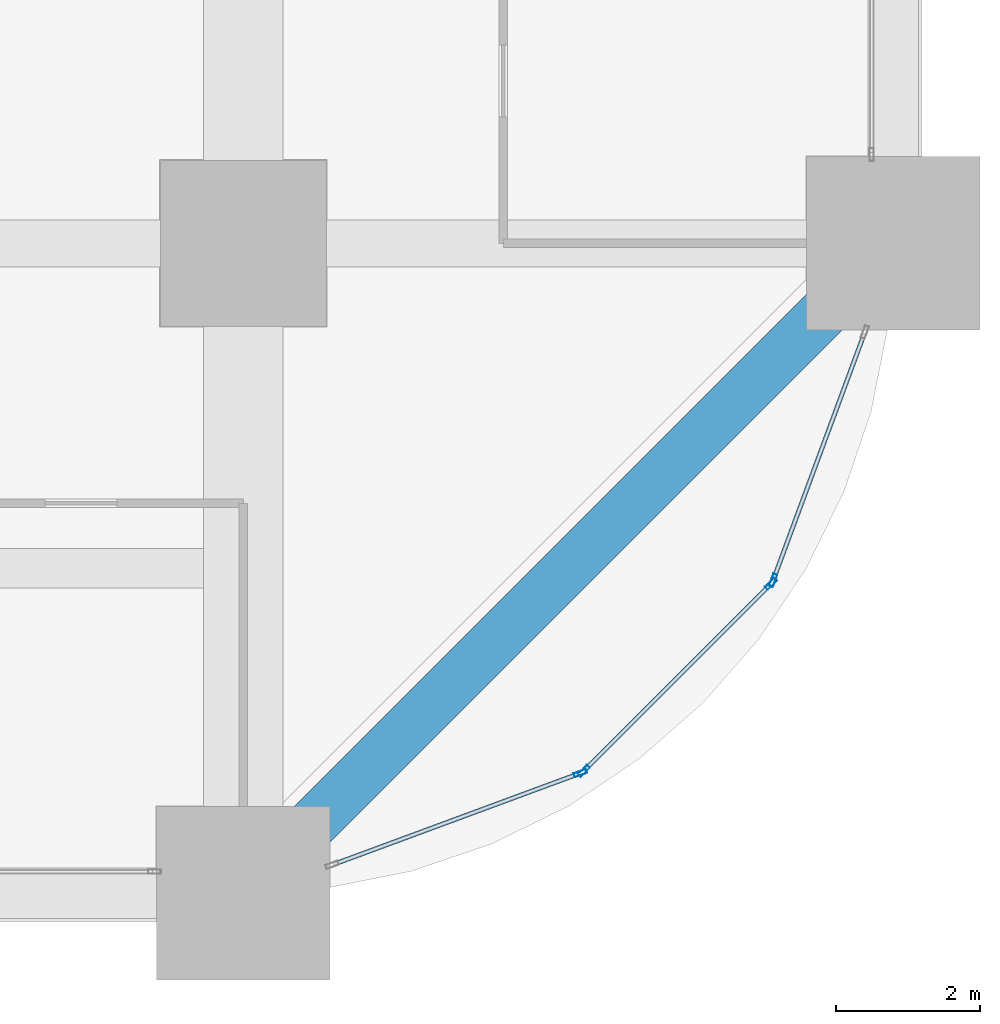
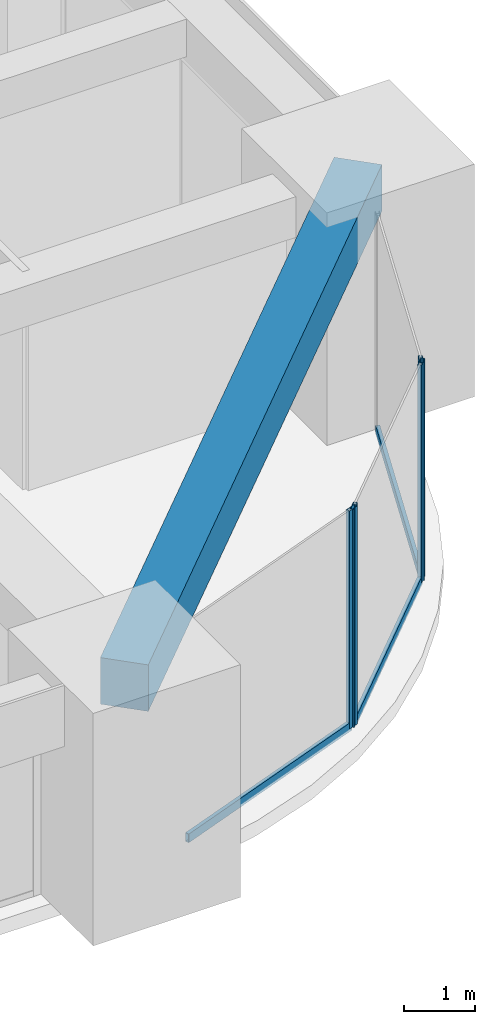
# One storey, part 16 of 45: 7 members, 1 beam, 3 elements without a shape of their own.
"""IFC4 building model written with IfcOpenShell, lengths in metres."""

import ifcopenshell
import ifcopenshell.guid

model = None  # the IFC model being written
_history = None  # IfcOwnerHistory: only IFC2X3 demands one
_inside = {}  # id of a spatial element -> (the spatial element, [elements in it])
_under = {}  # id of a project, library or spatial element -> (it, [spatial elements below it])
_declared = {}  # id of a project -> (the project, [libraries it declares])
_typed = {}  # id of a type object -> (the type object, [elements of that type])
_made_of = {}  # id of a material, layer set ... -> (it, [elements and type objects made of it])


def new_model(schema):
    """Start an empty IFC model of exactly this schema.

    Asked for "IFC4X3", IfcOpenShell would pick the latest addendum, in which some entities
    have other attributes; the version numbers below select the first issue.
    IFC2X3 requires an IfcOwnerHistory on every rooted entity: one is made here for all.
    """
    global model, _history
    if schema == "IFC4X3":
        model = ifcopenshell.file(schema_version=(4, 3, 0, 0))
    else:
        model = ifcopenshell.file(schema=schema)
    _inside.clear()
    _under.clear()
    _declared.clear()
    _typed.clear()
    _made_of.clear()
    _history = None
    if model.schema == "IFC2X3":
        org = make("IfcOrganization", Name="unknown")
        user = make(
            "IfcPersonAndOrganization",
            ThePerson=make("IfcPerson", FamilyName="unknown"),
            TheOrganization=org,
        )
        app = make(
            "IfcApplication",
            ApplicationDeveloper=org,
            Version="unknown",
            ApplicationFullName="unknown",
            ApplicationIdentifier="unknown",
        )
        _history = make(
            "IfcOwnerHistory",
            OwningUser=user,
            OwningApplication=app,
            ChangeAction="ADDED",
            CreationDate=0,
        )
    return model


def make(cls, **values):
    """One entity of the class cls with the attributes given. An attribute that is None is left unset."""
    return model.create_entity(
        cls, **{name: value for name, value in values.items() if value is not None}
    )


def rooted(cls, **values):
    """An entity with a GlobalId (a new one), such as an element, a storey or a relation."""
    return make(cls, GlobalId=ifcopenshell.guid.new(), OwnerHistory=_history, **values)


def si_unit(unit_type, name, prefix=None):
    """IfcSIUnit, for example si_unit("LENGTHUNIT", "METRE", prefix="MILLI")."""
    return make("IfcSIUnit", UnitType=unit_type, Prefix=prefix, Name=name)


def assignment(units):
    """IfcUnitAssignment: the units of a project."""
    return None if units is None else make("IfcUnitAssignment", Units=units)


def point(xyz):
    """IfcCartesianPoint."""
    return None if xyz is None else make("IfcCartesianPoint", Coordinates=xyz)


def direction(xyz):
    """IfcDirection."""
    return None if xyz is None else make("IfcDirection", DirectionRatios=xyz)


def frame(location, z_axis=None, x_axis=None):
    """IfcAxis2Placement3D, a coordinate frame: its origin and axes. An axis left out is left unset."""
    return make(
        "IfcAxis2Placement3D",
        Location=point(location),
        Axis=direction(z_axis),
        RefDirection=direction(x_axis),
    )


def frame_2d(location, x_axis=None):
    """IfcAxis2Placement2D, a coordinate frame in the plane: its origin and x axis."""
    return make(
        "IfcAxis2Placement2D", Location=point(location), RefDirection=direction(x_axis)
    )


def origin():
    """The frame at (0, 0, 0) with its axes left unset."""
    return frame((0.0, 0.0, 0.0))


def origin_2d():
    """The frame at (0, 0) in the plane with its x axis left unset."""
    return frame_2d((0.0, 0.0))


def place(relative_to, where):
    """IfcLocalPlacement: puts the frame where relative to a parent placement (None: the world)."""
    return make(
        "IfcLocalPlacement", PlacementRelTo=relative_to, RelativePlacement=where
    )


def context(
    kind, dimensions, precision=None, world=None, true_north=None, identifier=None
):
    """IfcGeometricRepresentationContext, for example the 3D "Model" context."""
    return make(
        "IfcGeometricRepresentationContext",
        ContextIdentifier=identifier,
        ContextType=kind,
        CoordinateSpaceDimension=dimensions,
        Precision=precision,
        WorldCoordinateSystem=world,
        TrueNorth=true_north,
    )


def subcontext(parent, identifier, kind, view, scale=None):
    """IfcGeometricRepresentationSubContext, for example "Body" below "Model"."""
    return make(
        "IfcGeometricRepresentationSubContext",
        ContextIdentifier=identifier,
        ContextType=kind,
        ParentContext=parent,
        TargetScale=scale,
        TargetView=view,
    )


def project(units=None, contexts=None):
    """IfcProject with its units and contexts."""
    return rooted(
        "IfcProject",
        Name="project",
        RepresentationContexts=contexts,
        UnitsInContext=assignment(units),
    )


def spatial(cls, under=None, at=None, **own):
    """A site, building, storey or space (cls), placed at a placement, below another one or the project."""
    s = rooted(cls, ObjectPlacement=at, **own)
    if under is not None:
        _under.setdefault(under.id(), (under, []))[1].append(s)
    return s


def profile(cls, at=None, kind="AREA", **sizes):
    """A parametric profile (cls). Its sizes go by their IFC names, for example OverallWidth=200.0."""
    return make(cls, ProfileType=kind, Position=at, **sizes)


def rectangle(**sizes):
    """IfcRectangleProfileDef."""
    return profile("IfcRectangleProfileDef", **sizes)


def hollow_rectangle(**sizes):
    """IfcRectangleHollowProfileDef."""
    return profile("IfcRectangleHollowProfileDef", **sizes)


def extrude(swept, where, along, depth):
    """IfcExtrudedAreaSolid: the profile swept, set in the frame where, extruded along a direction by depth."""
    return make(
        "IfcExtrudedAreaSolid",
        SweptArea=swept,
        Position=where,
        ExtrudedDirection=direction(along),
        Depth=depth,
    )


def shape(context_of_items, identifier, shape_type, items):
    """IfcShapeRepresentation: the items that make up one representation, for example the "Body"."""
    return make(
        "IfcShapeRepresentation",
        ContextOfItems=context_of_items,
        RepresentationIdentifier=identifier,
        RepresentationType=shape_type,
        Items=items,
    )


def material(Name=None, Category=None):
    """IfcMaterial."""
    return make("IfcMaterial", Name=Name, Category=Category)


def material_profile(
    of_material, cross_section, Name=None, Category=None, Priority=None
):
    """IfcMaterialProfile: a cross section and its material."""
    return make(
        "IfcMaterialProfile",
        Name=Name,
        Material=of_material,
        Profile=cross_section,
        Priority=Priority,
        Category=Category,
    )


def profile_set(profiles, Name=None, composite=None):
    """IfcMaterialProfileSet."""
    return make(
        "IfcMaterialProfileSet",
        Name=Name,
        MaterialProfiles=profiles,
        CompositeProfile=composite,
    )


def made_of(thing, what):
    """Note that an element or type object is made of a material, layer set ...; save() writes the relation."""
    if what is not None:
        _made_of.setdefault(what.id(), (what, []))[1].append(thing)
    return thing


def type_object(cls, material=None, **own):
    """A type object (cls), such as IfcWallType, which elements share."""
    return made_of(rooted(cls, **own), material)


def element(
    cls,
    number,
    at=None,
    inside=None,
    cuts=None,
    type_object=None,
    material=None,
    context=None,
    identifier="Body",
    shape_type=None,
    held_by="IfcProductDefinitionShape",
    body=None,
    shapes=None,
    **own,
):
    """One element of the class cls, such as IfcWall. Its Tag is "e" and its number.

    at: its placement. inside: the storey or other place that contains it. cuts: it is an
    opening in that element (IfcRelVoidsElement). A single representation is given by context,
    identifier, shape_type and body (its items); several are given by shapes. held_by: the class
    of the entity that holds the representations. save() writes the other relations.
    """
    e = rooted(cls, Tag="e%d" % number, ObjectPlacement=at, **own)
    if body is not None:
        shapes = [shape(context, identifier, shape_type, body)]
    if shapes is not None:
        e.Representation = make(held_by, Representations=shapes)
    if inside is not None:
        _inside.setdefault(inside.id(), (inside, []))[1].append(e)
    if cuts is not None:
        rooted(
            "IfcRelVoidsElement", RelatingBuildingElement=cuts, RelatedOpeningElement=e
        )
    if type_object is not None:
        _typed.setdefault(type_object.id(), (type_object, []))[1].append(e)
    return made_of(e, material)


def aggregate(whole, parts):
    """IfcRelAggregates: a whole, such as a stair, and the parts it consists of."""
    return rooted("IfcRelAggregates", RelatingObject=whole, RelatedObjects=parts)


def save(model, path):
    """Write the relations noted so far, then the file.

    IfcRelAggregates (storeys below a building ...), IfcRelContainedInSpatialStructure (elements
    in a storey), IfcRelDefinesByType, IfcRelAssociatesMaterial and IfcRelDeclares: one each for
    every whole, place, type object, material and project.
    """
    for whole, parts in _under.values():
        aggregate(whole, parts)
    for where, things in _inside.values():
        rooted(
            "IfcRelContainedInSpatialStructure",
            RelatedElements=things,
            RelatingStructure=where,
        )
    for kind, things in _typed.values():
        rooted("IfcRelDefinesByType", RelatedObjects=things, RelatingType=kind)
    for what, things in _made_of.values():
        rooted("IfcRelAssociatesMaterial", RelatedObjects=things, RelatingMaterial=what)
    for by, libraries in _declared.values():
        rooted("IfcRelDeclares", RelatingContext=by, RelatedDefinitions=libraries)
    model.write(path)


model = new_model("IFC4")

# Units and contexts
model_context = context("Model", 3, precision=1e-05, world=origin(), true_north=direction((0.0, 1.0)))
body_context = subcontext(model_context, "Body", "Model", "MODEL_VIEW")
ifc_project = project(units=[si_unit("LENGTHUNIT", "METRE"), si_unit("AREAUNIT", "SQUARE_METRE"), si_unit("VOLUMEUNIT", "CUBIC_METRE"), si_unit("PLANEANGLEUNIT", "RADIAN"), si_unit("MASSUNIT", "GRAM", prefix="KILO")], contexts=[model_context])

# Site, building, storey
site_placement = place(None, origin())
site = spatial("IfcSite", under=ifc_project, at=site_placement, CompositionType="ELEMENT")
building_placement = place(site_placement, origin())
building = spatial("IfcBuilding", under=site, at=building_placement, Name="Zorevar Civic Tower", CompositionType="ELEMENT")
storey_placement = place(building_placement, frame((0.0, 0.0, 27.800048828125)))
storey = spatial("IfcBuildingStorey", under=building, at=storey_placement, Name="L06", CompositionType="ELEMENT", Elevation=27.800048828125)

# Curtain wall, member
ifc_material_1 = material(Name="Dark grey solar-control glass in black aluminium frame", Category="aluminium")
curtain_wall_type = type_object("IfcCurtainWallType", Name="Curtain wall CW2 low zone", PredefinedType="NOTDEFINED", material=ifc_material_1)
curtain_wall_1_placement = place(storey_placement, origin())
curtain_wall_1 = element("IfcCurtainWall", 1, at=curtain_wall_1_placement, inside=storey, type_object=curtain_wall_type, Name="CW2 L06", PredefinedType="NOTDEFINED")
ifc_material_2 = material(Name="Aluminium, black anodised", Category="aluminium")
ifc_material_profile_1 = material_profile(ifc_material_2, hollow_rectangle(XDim=0.06005859375, YDim=0.179931640625, WallThickness=0.00390625, at=origin_2d()), Name="AL 180x60x4")
ifc_profile_set_1 = profile_set([ifc_material_profile_1], Name="Aluminium, black anodised")
member_type_1 = type_object("IfcMemberType", Name="CW2 mullion AL 180x60x4", PredefinedType="MULLION", material=ifc_profile_set_1)
member_1_placement = place(storey_placement, frame((58.66455078125, 1.663818359375, 0.0), z_axis=(0.0, 0.0, 1.0), x_axis=(-0.346704012033, 0.937974588163, 0.0)))
member_1 = element("IfcMember", 2, at=member_1_placement, type_object=member_type_1, Name="CW2 mullion 2", PredefinedType="MULLION", context=body_context, shape_type="SweptSolid", body=[
    extrude(hollow_rectangle(XDim=0.06005859375, YDim=0.179931640625, WallThickness=0.00390625, at=origin_2d()), origin(), (0.0, 0.0, 1.0), 3.75),
])

# Curtain wall, members
curtain_wall_2_placement = place(storey_placement, origin())
curtain_wall_2 = element("IfcCurtainWall", 3, at=curtain_wall_2_placement, inside=storey, type_object=curtain_wall_type, Name="CW2 L06", PredefinedType="NOTDEFINED")
member_2_placement = place(storey_placement, frame((58.7138671875, 1.6953125, 0.0), z_axis=(0.0, 0.0, 1.0), x_axis=(-0.707106781187, 0.707106781187, 0.0)))
member_2 = element("IfcMember", 4, at=member_2_placement, type_object=member_type_1, Name="CW2 mullion 1", PredefinedType="MULLION", context=body_context, shape_type="SweptSolid", body=[
    extrude(hollow_rectangle(XDim=0.06005859375, YDim=0.179931640625, WallThickness=0.00390625, at=origin_2d()), origin(), (0.0, 0.0, 1.0), 3.75),
])
member_3_placement = place(storey_placement, frame((61.3046875, 4.2861328125, 0.0), z_axis=(0.0, 0.0, 1.0), x_axis=(-0.707106781187, 0.707106781187, 0.0)))
member_3 = element("IfcMember", 5, at=member_3_placement, type_object=member_type_1, Name="CW2 mullion 2", PredefinedType="MULLION", context=body_context, shape_type="SweptSolid", body=[
    extrude(hollow_rectangle(XDim=0.06005859375, YDim=0.179931640625, WallThickness=0.00390625, at=origin_2d()), origin(), (0.0, 0.0, 1.0), 3.75),
])

# Curtain wall, member
curtain_wall_3_placement = place(storey_placement, origin())
curtain_wall_3 = element("IfcCurtainWall", 6, at=curtain_wall_3_placement, inside=storey, type_object=curtain_wall_type, Name="CW2 L06", PredefinedType="NOTDEFINED")
member_4_placement = place(storey_placement, frame((61.336181640625, 4.33544921875, 0.0), z_axis=(0.0, 0.0, 1.0), x_axis=(-0.937974588163, 0.346704012033, 0.0)))
member_4 = element("IfcMember", 7, at=member_4_placement, type_object=member_type_1, Name="CW2 mullion 1", PredefinedType="MULLION", context=body_context, shape_type="SweptSolid", body=[
    extrude(hollow_rectangle(XDim=0.06005859375, YDim=0.179931640625, WallThickness=0.00390625, at=origin_2d()), origin(), (0.0, 0.0, 1.0), 3.75),
])

# Member
ifc_material_3 = material(Name="Aluminium, black anodised", Category="aluminium")
ifc_material_profile_2 = material_profile(ifc_material_3, hollow_rectangle(XDim=0.06005859375, YDim=0.14990234375, WallThickness=0.00390625, at=origin_2d()), Name="AL 150x60x4")
ifc_profile_set_2 = profile_set([ifc_material_profile_2], Name="Aluminium, black anodised")
member_type_2 = type_object("IfcMemberType", Name="CW2 transom AL 150x60x4", PredefinedType="USERDEFINED", material=ifc_profile_set_2)
member_5_placement = place(storey_placement, frame((55.25634765625, 0.404052734375, 0.030029296875), z_axis=(0.93798635741, 0.346672169799, 0.0), x_axis=(-0.346672169799, 0.93798635741, 0.0)))
member_5 = element("IfcMember", 8, at=member_5_placement, type_object=member_type_2, Name="CW2 sill transom", ObjectType="TRANSOM", PredefinedType="USERDEFINED", context=body_context, shape_type="SweptSolid", body=[
    extrude(hollow_rectangle(XDim=0.06005859375, YDim=0.14990234375, WallThickness=0.00390625, at=origin_2d()), origin(), (0.0, 0.0, 1.0), 3.603515625),
])

aggregate(curtain_wall_1, [member_1, member_5])

member_6_placement = place(storey_placement, frame((58.735107421875, 1.716552734375, 0.030029296875), z_axis=(0.707106781187, 0.707106781187, 0.0), x_axis=(-0.707106781187, 0.707106781187, 0.0)))
member_6 = element("IfcMember", 9, at=member_6_placement, type_object=member_type_2, Name="CW2 sill transom", ObjectType="TRANSOM", PredefinedType="USERDEFINED", context=body_context, shape_type="SweptSolid", body=[
    extrude(hollow_rectangle(XDim=0.06005859375, YDim=0.14990234375, WallThickness=0.00390625, at=origin_2d()), origin(), (0.0, 0.0, 1.0), 3.60400390625),
])

aggregate(curtain_wall_2, [member_2, member_3, member_6])

member_7_placement = place(storey_placement, frame((61.3466796875, 4.363525390625, 0.030029296875), z_axis=(0.346672169799, 0.93798635741, 0.0), x_axis=(-0.93798635741, 0.346672169799, 0.0)))
member_7 = element("IfcMember", 10, at=member_7_placement, type_object=member_type_2, Name="CW2 sill transom", ObjectType="TRANSOM", PredefinedType="USERDEFINED", context=body_context, shape_type="SweptSolid", body=[
    extrude(hollow_rectangle(XDim=0.06005859375, YDim=0.14990234375, WallThickness=0.00390625, at=origin_2d()), origin(), (0.0, 0.0, 1.0), 3.603515625),
])

aggregate(curtain_wall_3, [member_4, member_7])

# Beam
ifc_material_4 = material(Name="Concrete C50/60", Category="concrete")
ifc_material_profile_3 = material_profile(ifc_material_4, rectangle(XDim=0.699951171875, YDim=0.800048828125, at=origin_2d()), Name="RC 700x800")
ifc_profile_set_3 = profile_set([ifc_material_profile_3], Name="Concrete C50/60")
beam_type = type_object("IfcBeamType", Name="Edge beam RC 700x800", PredefinedType="SPANDREL", material=ifc_profile_set_3)
beam_placement = place(storey_placement, frame((54.0, 0.0, 3.349853515625), z_axis=(0.707106781187, 0.707106781187, 0.0), x_axis=(-0.707106781187, 0.707106781187, 0.0)))
element("IfcBeam", 11, at=beam_placement, inside=storey, type_object=beam_type, Name="Corner edge beam L07", PredefinedType="SPANDREL", context=body_context, shape_type="SweptSolid", body=[
    extrude(rectangle(XDim=0.699951171875, YDim=0.800048828125, at=origin_2d()), origin(), (0.0, 0.0, 1.0), 12.72802734375),
])

save(model, "model.ifc")
